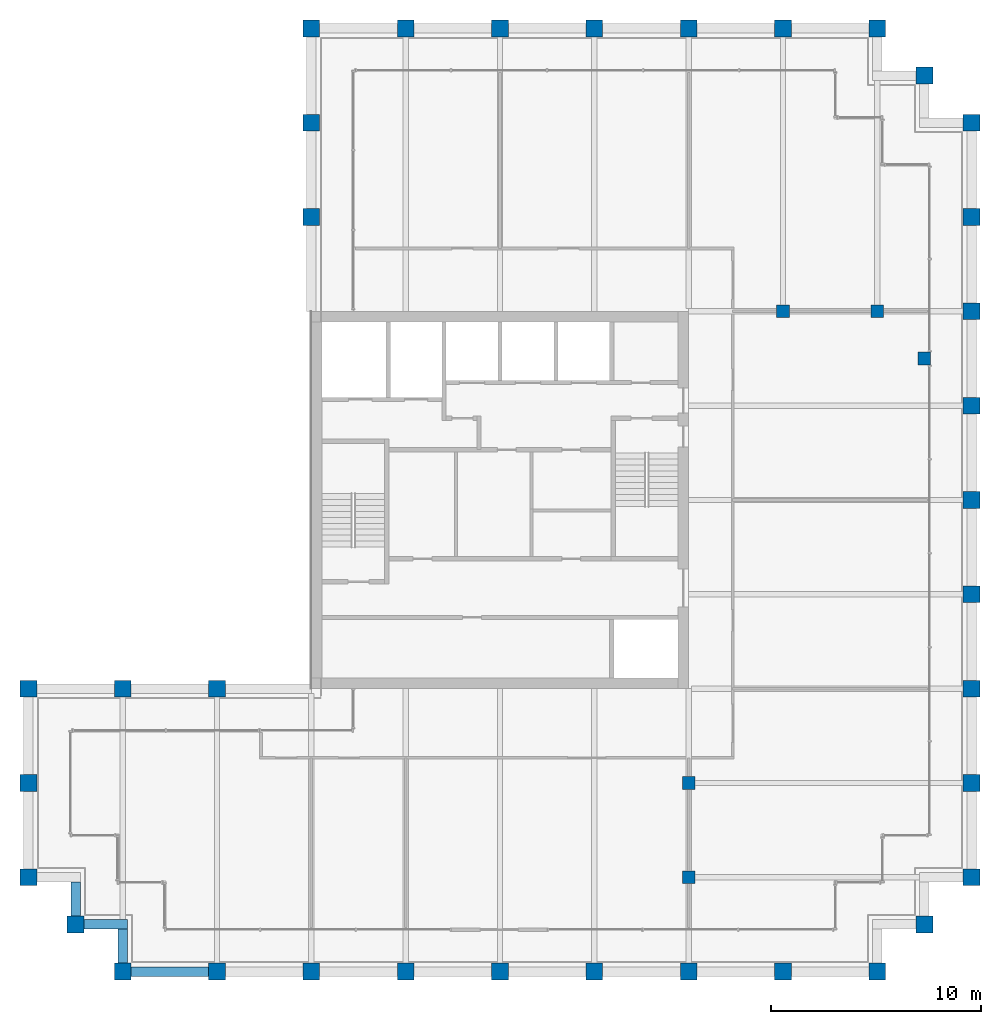
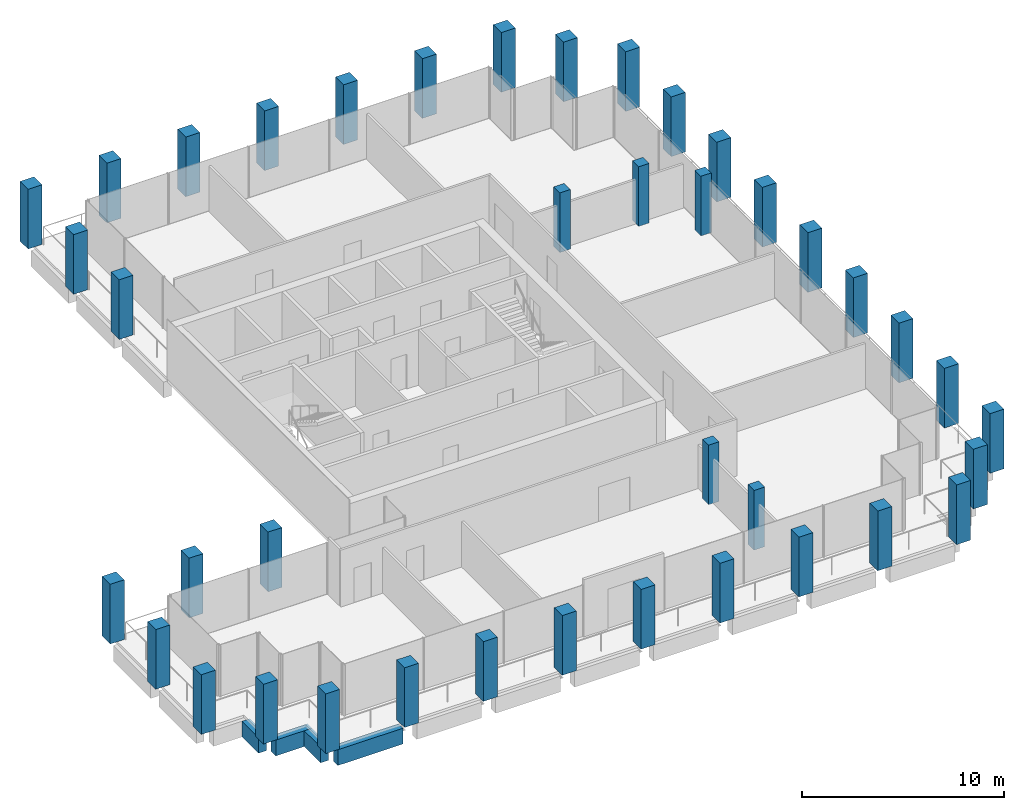
# One storey, part 1 of 30: 40 columns, 4 beams.
"""IFC4 building model written with IfcOpenShell, lengths in metres."""

from ifc_helpers import new_model, si_unit, direction, frame, origin, origin_2d, place, context, subcontext, project, spatial, rectangle, extrude, material, material_profile, profile_set, type_object, element, save


model = new_model("IFC4")

# Units and contexts
model_context = context("Model", 3, precision=1e-05, world=origin(), true_north=direction((0.0, 1.0)))
body_context = subcontext(model_context, "Body", "Model", "MODEL_VIEW")
ifc_project = project(units=[si_unit("LENGTHUNIT", "METRE"), si_unit("AREAUNIT", "SQUARE_METRE"), si_unit("VOLUMEUNIT", "CUBIC_METRE"), si_unit("PLANEANGLEUNIT", "RADIAN"), si_unit("MASSUNIT", "GRAM", prefix="KILO")], contexts=[model_context])

# Site, building, storey
site_placement = place(None, origin())
site = spatial("IfcSite", under=ifc_project, at=site_placement, CompositionType="ELEMENT")
building_placement = place(site_placement, origin())
building = spatial("IfcBuilding", under=site, at=building_placement, Name="Altepetl Exchange Towers", CompositionType="ELEMENT")
storey_placement = place(building_placement, frame((0.0, 0.0, 228.0)))
storey = spatial("IfcBuildingStorey", under=building, at=storey_placement, Name="L58", CompositionType="ELEMENT", Elevation=228.0)

# Columns
ifc_material_1 = material(Name="Concrete C70/85", Category="concrete")
ifc_material_profile_1 = material_profile(ifc_material_1, rectangle(XDim=0.60009765625, YDim=0.60009765625, at=origin_2d()), Name="600 x 600")
ifc_profile_set_1 = profile_set([ifc_material_profile_1], Name="Concrete C70/85")
column_type_1 = type_object("IfcColumnType", Name="Interior column 600", PredefinedType="COLUMN", material=ifc_profile_set_1)
for number, where, name in (
    (1, (58.5, 31.5, 0.0), "col:A:L58:035"),
    (2, (58.5, 36.0, 0.0), "col:A:L58:036"),
    (3, (63.0, 58.5, 0.0), "col:A:L58:037"),
    (4, (67.5, 58.5, 0.0), "col:A:L58:038"),
    (5, (69.75, 56.25, 0.0), "col:A:L58:039"),
):
    element("IfcColumn", number, at=place(storey_placement, frame(where)), inside=storey, type_object=column_type_1, Name=name, PredefinedType="COLUMN", context=body_context, shape_type="SweptSolid", body=[
        extrude(rectangle(XDim=0.60009765625, YDim=0.60009765625, at=origin_2d()), origin(), (0.0, 0.0, 1.0), 3.60009765625),
    ])
ifc_material_2 = material(Name="Concrete C70/85 precast with cantera amarilla facing", Category="concrete")
ifc_material_profile_2 = material_profile(ifc_material_2, rectangle(XDim=0.800048828125, YDim=0.800048828125, at=origin_2d()), Name="800 x 800")
ifc_profile_set_2 = profile_set([ifc_material_profile_2], Name="Concrete C70/85 precast with cantera amarilla facing")
column_type_2 = type_object("IfcColumnType", Name="Perimeter column 800 cantera amarilla", PredefinedType="COLUMN", material=ifc_profile_set_2)
for number, where, name in (
    (6, (58.5, 27.0, 0.0), "col:A:L58:006"),
    (7, (63.0, 27.0, 0.0), "col:A:L58:007"),
    (8, (67.5, 27.0, 0.0), "col:A:L58:008"),
    (9, (69.75, 29.25, 0.0), "col:A:L58:009"),
    (10, (72.0, 31.5, 0.0), "col:A:L58:010"),
    (11, (72.0, 36.0, 0.0), "col:A:L58:011"),
    (12, (72.0, 40.5, 0.0), "col:A:L58:012"),
    (13, (72.0, 45.0, 0.0), "col:A:L58:013"),
    (14, (72.0, 49.5, 0.0), "col:A:L58:014"),
    (15, (72.0, 54.0, 0.0), "col:A:L58:015"),
):
    element("IfcColumn", number, at=place(storey_placement, frame(where)), inside=storey, type_object=column_type_2, Name=name, PredefinedType="COLUMN", context=body_context, shape_type="SweptSolid", body=[
        extrude(rectangle(XDim=0.800048828125, YDim=0.800048828125, at=origin_2d()), origin(), (0.0, 0.0, 1.0), 3.60009765625),
    ])
ifc_material_3 = material(Name="Concrete C70/85 precast with cantera blanca facing", Category="concrete")
ifc_material_profile_3 = material_profile(ifc_material_3, rectangle(XDim=0.800048828125, YDim=0.800048828125, at=origin_2d()), Name="800 x 800")
ifc_profile_set_3 = profile_set([ifc_material_profile_3], Name="Concrete C70/85 precast with cantera blanca facing")
column_type_3 = type_object("IfcColumnType", Name="Perimeter column 800 cantera blanca", PredefinedType="COLUMN", material=ifc_profile_set_3)
for number, where, name in (
    (16, (31.5, 27.0, 0.0), "col:A:L58:000"),
    (17, (36.0, 27.0, 0.0), "col:A:L58:001"),
    (18, (40.5, 27.0, 0.0), "col:A:L58:002"),
    (19, (45.0, 27.0, 0.0), "col:A:L58:003"),
    (20, (49.5, 27.0, 0.0), "col:A:L58:004"),
    (21, (54.0, 27.0, 0.0), "col:A:L58:005"),
    (22, (27.0, 36.0, 0.0), "col:A:L58:032"),
    (23, (27.0, 31.5, 0.0), "col:A:L58:033"),
    (24, (29.25, 29.25, 0.0), "col:A:L58:034"),
):
    element("IfcColumn", number, at=place(storey_placement, frame(where)), inside=storey, type_object=column_type_3, Name=name, PredefinedType="COLUMN", context=body_context, shape_type="SweptSolid", body=[
        extrude(rectangle(XDim=0.800048828125, YDim=0.800048828125, at=origin_2d()), origin(), (0.0, 0.0, 1.0), 3.60009765625),
    ])
ifc_material_4 = material(Name="Concrete C70/85 precast with cantera rosa facing", Category="concrete")
ifc_material_profile_4 = material_profile(ifc_material_4, rectangle(XDim=0.800048828125, YDim=0.800048828125, at=origin_2d()), Name="800 x 800")
ifc_profile_set_4 = profile_set([ifc_material_profile_4], Name="Concrete C70/85 precast with cantera rosa facing")
column_type_4 = type_object("IfcColumnType", Name="Perimeter column 800 cantera rosa", PredefinedType="COLUMN", material=ifc_profile_set_4)
for number, where, name in (
    (25, (72.0, 58.5, 0.0), "col:A:L58:016"),
    (26, (72.0, 63.0, 0.0), "col:A:L58:017"),
    (27, (72.0, 67.5, 0.0), "col:A:L58:018"),
    (28, (69.75, 69.75, 0.0), "col:A:L58:019"),
    (29, (67.5, 72.0, 0.0), "col:A:L58:020"),
    (30, (63.0, 72.0, 0.0), "col:A:L58:021"),
    (31, (58.5, 72.0, 0.0), "col:A:L58:022"),
    (32, (54.0, 72.0, 0.0), "col:A:L58:023"),
    (33, (49.5, 72.0, 0.0), "col:A:L58:024"),
    (34, (45.0, 72.0, 0.0), "col:A:L58:025"),
):
    element("IfcColumn", number, at=place(storey_placement, frame(where)), inside=storey, type_object=column_type_4, Name=name, PredefinedType="COLUMN", context=body_context, shape_type="SweptSolid", body=[
        extrude(rectangle(XDim=0.800048828125, YDim=0.800048828125, at=origin_2d()), origin(), (0.0, 0.0, 1.0), 3.60009765625),
    ])
ifc_material_5 = material(Name="Concrete C70/85 precast with tezontle facing", Category="concrete")
ifc_material_profile_5 = material_profile(ifc_material_5, rectangle(XDim=0.800048828125, YDim=0.800048828125, at=origin_2d()), Name="800 x 800")
ifc_profile_set_5 = profile_set([ifc_material_profile_5], Name="Concrete C70/85 precast with tezontle facing")
column_type_5 = type_object("IfcColumnType", Name="Perimeter column 800 tezontle", PredefinedType="COLUMN", material=ifc_profile_set_5)
for number, where, name in (
    (35, (40.5, 72.0, 0.0), "col:A:L58:026"),
    (36, (40.5, 67.5, 0.0), "col:A:L58:027"),
    (37, (40.5, 63.0, 0.0), "col:A:L58:028"),
    (38, (36.0, 40.5, 0.0), "col:A:L58:029"),
    (39, (31.5, 40.5, 0.0), "col:A:L58:030"),
    (40, (27.0, 40.5, 0.0), "col:A:L58:031"),
):
    element("IfcColumn", number, at=place(storey_placement, frame(where)), inside=storey, type_object=column_type_5, Name=name, PredefinedType="COLUMN", context=body_context, shape_type="SweptSolid", body=[
        extrude(rectangle(XDim=0.800048828125, YDim=0.800048828125, at=origin_2d()), origin(), (0.0, 0.0, 1.0), 3.60009765625),
    ])

# Beams
ifc_material_6 = material(Name="Concrete C50/60 precast with cantera blanca facing", Category="concrete")
ifc_material_profile_6 = material_profile(ifc_material_6, rectangle(XDim=0.449951171875, YDim=0.949951171875, at=origin_2d()), Name="450 x 950")
ifc_profile_set_6 = profile_set([ifc_material_profile_6], Name="Concrete C50/60 precast with cantera blanca facing")
beam_type = type_object("IfcBeamType", Name="Spandrel beam 450x950 cantera blanca", PredefinedType="SPANDREL", material=ifc_profile_set_6)
beam_1_placement = place(storey_placement, frame((31.89990234375, 27.0, -0.625), z_axis=(1.0, 0.0, 0.0), x_axis=(0.0, 1.0, 0.0)))
element("IfcBeam", 41, at=beam_1_placement, inside=storey, type_object=beam_type, Name="sp:A:L58:000", PredefinedType="SPANDREL", context=body_context, shape_type="SweptSolid", body=[
    extrude(rectangle(XDim=0.449951171875, YDim=0.949951171875, at=origin_2d()), origin(), (0.0, 0.0, 1.0), 3.7001953125),
])
beam_2_placement = place(storey_placement, frame((29.25, 31.27490234375, -0.625), z_axis=(0.0, -1.0, 0.0), x_axis=(1.0, 0.0, 0.0)))
element("IfcBeam", 42, at=beam_2_placement, inside=storey, type_object=beam_type, Name="sp:A:L58:039", PredefinedType="SPANDREL", context=body_context, shape_type="SweptSolid", body=[
    extrude(rectangle(XDim=0.449951171875, YDim=0.949951171875, at=origin_2d()), origin(), (0.0, 0.0, 1.0), 1.625),
])
beam_3_placement = place(storey_placement, frame((29.64990234375, 29.25, -0.625), z_axis=(1.0, 0.0, 0.0), x_axis=(0.0, 1.0, 0.0)))
element("IfcBeam", 43, at=beam_3_placement, inside=storey, type_object=beam_type, Name="sp:A:L58:040", PredefinedType="SPANDREL", context=body_context, shape_type="SweptSolid", body=[
    extrude(rectangle(XDim=0.449951171875, YDim=0.949951171875, at=origin_2d()), origin(), (0.0, 0.0, 1.0), 2.0751953125),
])
beam_4_placement = place(storey_placement, frame((31.5, 29.02490234375, -0.625), z_axis=(0.0, -1.0, 0.0), x_axis=(1.0, 0.0, 0.0)))
element("IfcBeam", 44, at=beam_4_placement, inside=storey, type_object=beam_type, Name="sp:A:L58:041", PredefinedType="SPANDREL", context=body_context, shape_type="SweptSolid", body=[
    extrude(rectangle(XDim=0.449951171875, YDim=0.949951171875, at=origin_2d()), origin(), (0.0, 0.0, 1.0), 1.625),
])

save(model, "model.ifc")
